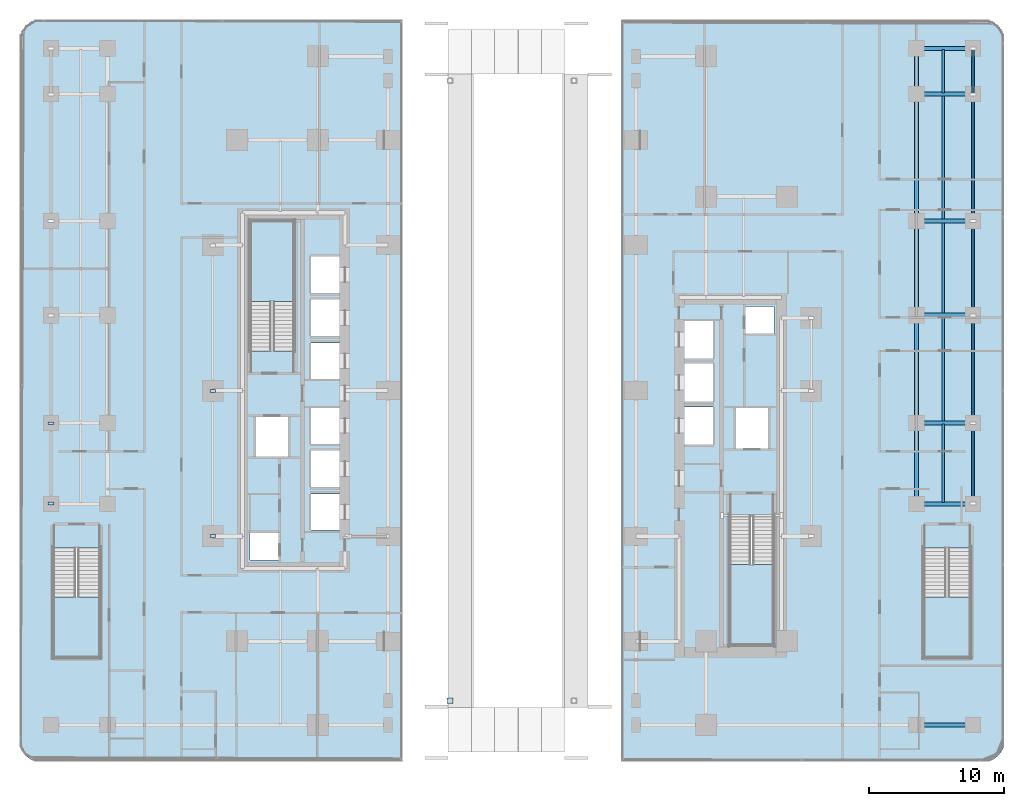
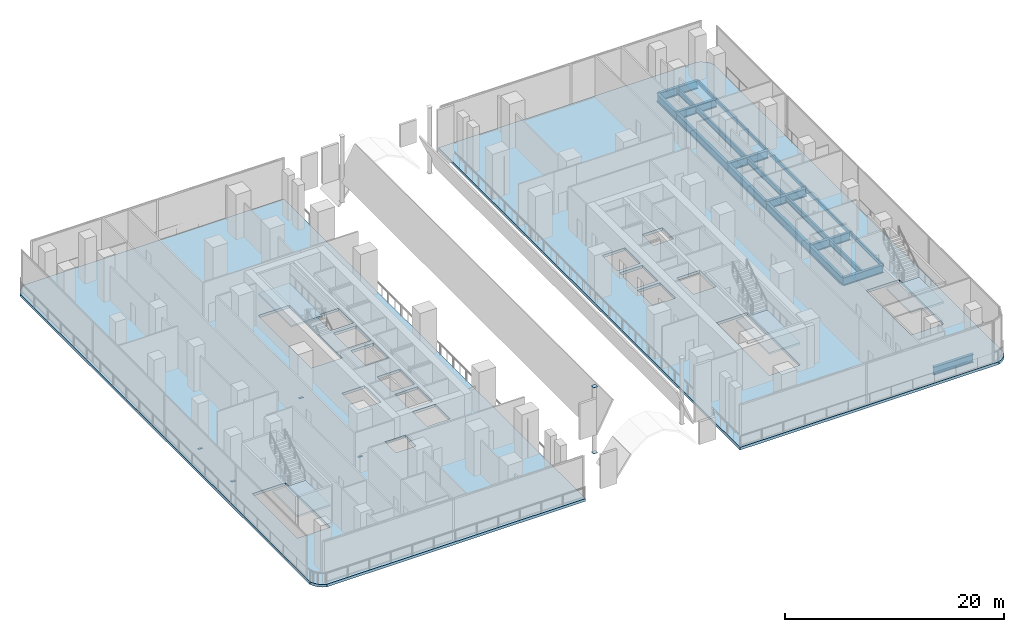
# One storey, part 5 of 31: 22 beams, 6 plates, 6 slabs, 4 elements without a shape of their own.
"""IFC4 building model written with IfcOpenShell, lengths in metres."""

import ifcopenshell
import ifcopenshell.guid

model = None  # the IFC model being written
_history = None  # IfcOwnerHistory: only IFC2X3 demands one
_inside = {}  # id of a spatial element -> (the spatial element, [elements in it])
_under = {}  # id of a project, library or spatial element -> (it, [spatial elements below it])
_declared = {}  # id of a project -> (the project, [libraries it declares])
_typed = {}  # id of a type object -> (the type object, [elements of that type])
_made_of = {}  # id of a material, layer set ... -> (it, [elements and type objects made of it])


def new_model(schema):
    """Start an empty IFC model of exactly this schema.

    Asked for "IFC4X3", IfcOpenShell would pick the latest addendum, in which some entities
    have other attributes; the version numbers below select the first issue.
    IFC2X3 requires an IfcOwnerHistory on every rooted entity: one is made here for all.
    """
    global model, _history
    if schema == "IFC4X3":
        model = ifcopenshell.file(schema_version=(4, 3, 0, 0))
    else:
        model = ifcopenshell.file(schema=schema)
    _inside.clear()
    _under.clear()
    _declared.clear()
    _typed.clear()
    _made_of.clear()
    _history = None
    if model.schema == "IFC2X3":
        org = make("IfcOrganization", Name="unknown")
        user = make(
            "IfcPersonAndOrganization",
            ThePerson=make("IfcPerson", FamilyName="unknown"),
            TheOrganization=org,
        )
        app = make(
            "IfcApplication",
            ApplicationDeveloper=org,
            Version="unknown",
            ApplicationFullName="unknown",
            ApplicationIdentifier="unknown",
        )
        _history = make(
            "IfcOwnerHistory",
            OwningUser=user,
            OwningApplication=app,
            ChangeAction="ADDED",
            CreationDate=0,
        )
    return model


def make(cls, **values):
    """One entity of the class cls with the attributes given. An attribute that is None is left unset."""
    return model.create_entity(
        cls, **{name: value for name, value in values.items() if value is not None}
    )


def rooted(cls, **values):
    """An entity with a GlobalId (a new one), such as an element, a storey or a relation."""
    return make(cls, GlobalId=ifcopenshell.guid.new(), OwnerHistory=_history, **values)


def si_unit(unit_type, name, prefix=None):
    """IfcSIUnit, for example si_unit("LENGTHUNIT", "METRE", prefix="MILLI")."""
    return make("IfcSIUnit", UnitType=unit_type, Prefix=prefix, Name=name)


def assignment(units):
    """IfcUnitAssignment: the units of a project."""
    return None if units is None else make("IfcUnitAssignment", Units=units)


def point(xyz):
    """IfcCartesianPoint."""
    return None if xyz is None else make("IfcCartesianPoint", Coordinates=xyz)


def direction(xyz):
    """IfcDirection."""
    return None if xyz is None else make("IfcDirection", DirectionRatios=xyz)


def frame(location, z_axis=None, x_axis=None):
    """IfcAxis2Placement3D, a coordinate frame: its origin and axes. An axis left out is left unset."""
    return make(
        "IfcAxis2Placement3D",
        Location=point(location),
        Axis=direction(z_axis),
        RefDirection=direction(x_axis),
    )


def frame_2d(location, x_axis=None):
    """IfcAxis2Placement2D, a coordinate frame in the plane: its origin and x axis."""
    return make(
        "IfcAxis2Placement2D", Location=point(location), RefDirection=direction(x_axis)
    )


def origin():
    """The frame at (0, 0, 0) with its axes left unset."""
    return frame((0.0, 0.0, 0.0))


def origin_2d():
    """The frame at (0, 0) in the plane with its x axis left unset."""
    return frame_2d((0.0, 0.0))


def place(relative_to, where):
    """IfcLocalPlacement: puts the frame where relative to a parent placement (None: the world)."""
    return make(
        "IfcLocalPlacement", PlacementRelTo=relative_to, RelativePlacement=where
    )


def context(
    kind, dimensions, precision=None, world=None, true_north=None, identifier=None
):
    """IfcGeometricRepresentationContext, for example the 3D "Model" context."""
    return make(
        "IfcGeometricRepresentationContext",
        ContextIdentifier=identifier,
        ContextType=kind,
        CoordinateSpaceDimension=dimensions,
        Precision=precision,
        WorldCoordinateSystem=world,
        TrueNorth=true_north,
    )


def subcontext(parent, identifier, kind, view, scale=None):
    """IfcGeometricRepresentationSubContext, for example "Body" below "Model"."""
    return make(
        "IfcGeometricRepresentationSubContext",
        ContextIdentifier=identifier,
        ContextType=kind,
        ParentContext=parent,
        TargetScale=scale,
        TargetView=view,
    )


def project(units=None, contexts=None):
    """IfcProject with its units and contexts."""
    return rooted(
        "IfcProject",
        Name="project",
        RepresentationContexts=contexts,
        UnitsInContext=assignment(units),
    )


def spatial(cls, under=None, at=None, **own):
    """A site, building, storey or space (cls), placed at a placement, below another one or the project."""
    s = rooted(cls, ObjectPlacement=at, **own)
    if under is not None:
        _under.setdefault(under.id(), (under, []))[1].append(s)
    return s


def polyline(points):
    """IfcPolyline through the points."""
    return make("IfcPolyline", Points=[point(p) for p in points])


def profile(cls, at=None, kind="AREA", **sizes):
    """A parametric profile (cls). Its sizes go by their IFC names, for example OverallWidth=200.0."""
    return make(cls, ProfileType=kind, Position=at, **sizes)


def rectangle(**sizes):
    """IfcRectangleProfileDef."""
    return profile("IfcRectangleProfileDef", **sizes)


def hollow_rectangle(**sizes):
    """IfcRectangleHollowProfileDef."""
    return profile("IfcRectangleHollowProfileDef", **sizes)


def i_section(**sizes):
    """IfcIShapeProfileDef."""
    return profile("IfcIShapeProfileDef", **sizes)


def outline(outer, holes=None, kind="AREA"):
    """IfcArbitraryClosedProfileDef: a profile drawn as a closed curve; with holes, ...WithVoids."""
    if holes is None:
        return make("IfcArbitraryClosedProfileDef", ProfileType=kind, OuterCurve=outer)
    return make(
        "IfcArbitraryProfileDefWithVoids",
        ProfileType=kind,
        OuterCurve=outer,
        InnerCurves=holes,
    )


def extrude(swept, where, along, depth):
    """IfcExtrudedAreaSolid: the profile swept, set in the frame where, extruded along a direction by depth."""
    return make(
        "IfcExtrudedAreaSolid",
        SweptArea=swept,
        Position=where,
        ExtrudedDirection=direction(along),
        Depth=depth,
    )


def shape(context_of_items, identifier, shape_type, items):
    """IfcShapeRepresentation: the items that make up one representation, for example the "Body"."""
    return make(
        "IfcShapeRepresentation",
        ContextOfItems=context_of_items,
        RepresentationIdentifier=identifier,
        RepresentationType=shape_type,
        Items=items,
    )


def material(Name=None, Category=None):
    """IfcMaterial."""
    return make("IfcMaterial", Name=Name, Category=Category)


def layer(
    of_material, thickness, ventilated=None, Name=None, Category=None, Priority=None
):
    """IfcMaterialLayer: one layer of a wall or slab, of a material (None: an air gap)."""
    return make(
        "IfcMaterialLayer",
        Material=of_material,
        LayerThickness=thickness,
        IsVentilated=ventilated,
        Name=Name,
        Category=Category,
        Priority=Priority,
    )


def layer_set(layers, Name=None):
    """IfcMaterialLayerSet."""
    return make("IfcMaterialLayerSet", MaterialLayers=layers, LayerSetName=Name)


def material_profile(
    of_material, cross_section, Name=None, Category=None, Priority=None
):
    """IfcMaterialProfile: a cross section and its material."""
    return make(
        "IfcMaterialProfile",
        Name=Name,
        Material=of_material,
        Profile=cross_section,
        Priority=Priority,
        Category=Category,
    )


def profile_set(profiles, Name=None, composite=None):
    """IfcMaterialProfileSet."""
    return make(
        "IfcMaterialProfileSet",
        Name=Name,
        MaterialProfiles=profiles,
        CompositeProfile=composite,
    )


def made_of(thing, what):
    """Note that an element or type object is made of a material, layer set ...; save() writes the relation."""
    if what is not None:
        _made_of.setdefault(what.id(), (what, []))[1].append(thing)
    return thing


def type_object(cls, material=None, **own):
    """A type object (cls), such as IfcWallType, which elements share."""
    return made_of(rooted(cls, **own), material)


def element(
    cls,
    number,
    at=None,
    inside=None,
    cuts=None,
    type_object=None,
    material=None,
    context=None,
    identifier="Body",
    shape_type=None,
    held_by="IfcProductDefinitionShape",
    body=None,
    shapes=None,
    **own,
):
    """One element of the class cls, such as IfcWall. Its Tag is "e" and its number.

    at: its placement. inside: the storey or other place that contains it. cuts: it is an
    opening in that element (IfcRelVoidsElement). A single representation is given by context,
    identifier, shape_type and body (its items); several are given by shapes. held_by: the class
    of the entity that holds the representations. save() writes the other relations.
    """
    e = rooted(cls, Tag="e%d" % number, ObjectPlacement=at, **own)
    if body is not None:
        shapes = [shape(context, identifier, shape_type, body)]
    if shapes is not None:
        e.Representation = make(held_by, Representations=shapes)
    if inside is not None:
        _inside.setdefault(inside.id(), (inside, []))[1].append(e)
    if cuts is not None:
        rooted(
            "IfcRelVoidsElement", RelatingBuildingElement=cuts, RelatedOpeningElement=e
        )
    if type_object is not None:
        _typed.setdefault(type_object.id(), (type_object, []))[1].append(e)
    return made_of(e, material)


def aggregate(whole, parts):
    """IfcRelAggregates: a whole, such as a stair, and the parts it consists of."""
    return rooted("IfcRelAggregates", RelatingObject=whole, RelatedObjects=parts)


def save(model, path):
    """Write the relations noted so far, then the file.

    IfcRelAggregates (storeys below a building ...), IfcRelContainedInSpatialStructure (elements
    in a storey), IfcRelDefinesByType, IfcRelAssociatesMaterial and IfcRelDeclares: one each for
    every whole, place, type object, material and project.
    """
    for whole, parts in _under.values():
        aggregate(whole, parts)
    for where, things in _inside.values():
        rooted(
            "IfcRelContainedInSpatialStructure",
            RelatedElements=things,
            RelatingStructure=where,
        )
    for kind, things in _typed.values():
        rooted("IfcRelDefinesByType", RelatedObjects=things, RelatingType=kind)
    for what, things in _made_of.values():
        rooted("IfcRelAssociatesMaterial", RelatedObjects=things, RelatingMaterial=what)
    for by, libraries in _declared.values():
        rooted("IfcRelDeclares", RelatingContext=by, RelatedDefinitions=libraries)
    model.write(path)


model = new_model("IFC4")

# Units and contexts
model_context = context("Model", 3, precision=1e-05, world=origin(), true_north=direction((0.0, 1.0)))
body_context = subcontext(model_context, "Body", "Model", "MODEL_VIEW")
ifc_project = project(units=[si_unit("LENGTHUNIT", "METRE"), si_unit("AREAUNIT", "SQUARE_METRE"), si_unit("VOLUMEUNIT", "CUBIC_METRE"), si_unit("PLANEANGLEUNIT", "RADIAN"), si_unit("MASSUNIT", "GRAM", prefix="KILO")], contexts=[model_context])

# Site, building, storey
site_placement = place(None, origin())
site = spatial("IfcSite", under=ifc_project, at=site_placement, CompositionType="ELEMENT")
building_placement = place(site_placement, origin())
building = spatial("IfcBuilding", under=site, at=building_placement, Name="Khairoan Windgate Tower", CompositionType="ELEMENT")
storey_placement = place(building_placement, frame((0.0, 0.0, 11.0)))
storey = spatial("IfcBuildingStorey", under=building, at=storey_placement, Name="L03", CompositionType="ELEMENT", Elevation=11.0)

# Beams
ifc_material_1 = material(Name="Steel S355", Category="steel")
ifc_material_profile_1 = material_profile(ifc_material_1, i_section(OverallWidth=0.300048828125, OverallDepth=0.89990234375, WebThickness=0.01611328125, FlangeThickness=0.028076171875, FilletRadius=0.028076171875, at=origin_2d()))
ifc_profile_set_1 = profile_set([ifc_material_profile_1], Name="Steel S355")
beam_type_1 = type_object("IfcBeamType", Name="Beam B-G1 H900x300x16x28", PredefinedType="BEAM", material=ifc_profile_set_1)
for number, where, z_axis, x_axis, name in (
    (1, (30.0, -24.800048828125, -0.75), (1.0, 0.0, 0.0), (0.0, 1.0, 0.0), "L03 E-W Primary Girder 06"),
    (2, (30.0, -8.39990234375, -0.75), (1.0, 0.0, 0.0), (0.0, 1.0, 0.0), "L03 E-W Primary Girder 17"),
    (3, (30.0, -2.39990234375, -0.75), (1.0, 0.0, 0.0), (0.0, 1.0, 0.0), "L03 E-W Primary Girder 19"),
    (4, (30.0, 5.60009765625, -0.75), (1.0, 0.0, 0.0), (0.0, 1.0, 0.0), "L03 E-W Primary Girder 25"),
    (5, (30.0, 12.60009765625, -0.75), (1.0, 0.0, 0.0), (0.0, 1.0, 0.0), "L03 E-W Primary Girder 31"),
    (6, (30.0, 22.0, -0.75), (1.0, 0.0, 0.0), (0.0, 1.0, 0.0), "L03 E-W Primary Girder 38"),
    (7, (30.0, 25.39990234375, -0.75), (1.0, 0.0, 0.0), (0.0, 1.0, 0.0), "L03 E-W Primary Girder 42"),
):
    element("IfcBeam", number, at=place(storey_placement, frame(where, z_axis=z_axis, x_axis=x_axis)), inside=storey, type_object=beam_type_1, Name=name, PredefinedType="BEAM", context=body_context, shape_type="SweptSolid", body=[
        extrude(i_section(OverallWidth=0.300048828125, OverallDepth=0.89990234375, WebThickness=0.01611328125, FlangeThickness=0.028076171875, FilletRadius=0.028076171875, at=origin_2d()), origin(), (0.0, 0.0, 1.0), 4.199951171875),
    ])
beam_1_placement = place(storey_placement, frame((30.0, -8.39990234375, -0.75), z_axis=(0.0, 1.0, 0.0), x_axis=(-1.0, 0.0, 0.0)))
element("IfcBeam", 8, at=beam_1_placement, inside=storey, type_object=beam_type_1, Name="L03 N-S Primary Beam 86", PredefinedType="BEAM", context=body_context, shape_type="SweptSolid", body=[
    extrude(i_section(OverallWidth=0.300048828125, OverallDepth=0.89990234375, WebThickness=0.01611328125, FlangeThickness=0.028076171875, FilletRadius=0.028076171875, at=origin_2d()), origin(), (0.0, 0.0, 1.0), 6.0),
])
beam_2_placement = place(storey_placement, frame((30.0, -2.39990234375, -0.75), z_axis=(0.0, 1.0, 0.0), x_axis=(-1.0, 0.0, 0.0)))
element("IfcBeam", 9, at=beam_2_placement, inside=storey, type_object=beam_type_1, Name="L03 N-S Primary Beam 87", PredefinedType="BEAM", context=body_context, shape_type="SweptSolid", body=[
    extrude(i_section(OverallWidth=0.300048828125, OverallDepth=0.89990234375, WebThickness=0.01611328125, FlangeThickness=0.028076171875, FilletRadius=0.028076171875, at=origin_2d()), origin(), (0.0, 0.0, 1.0), 8.0),
])
beam_3_placement = place(storey_placement, frame((30.0, 5.60009765625, -0.75), z_axis=(0.0, 1.0, 0.0), x_axis=(-1.0, 0.0, 0.0)))
element("IfcBeam", 10, at=beam_3_placement, inside=storey, type_object=beam_type_1, Name="L03 N-S Primary Beam 88", PredefinedType="BEAM", context=body_context, shape_type="SweptSolid", body=[
    extrude(i_section(OverallWidth=0.300048828125, OverallDepth=0.89990234375, WebThickness=0.01611328125, FlangeThickness=0.028076171875, FilletRadius=0.028076171875, at=origin_2d()), origin(), (0.0, 0.0, 1.0), 7.0),
])
beam_4_placement = place(storey_placement, frame((30.0, 12.60009765625, -0.75), z_axis=(0.0, 1.0, 0.0), x_axis=(-1.0, 0.0, 0.0)))
element("IfcBeam", 11, at=beam_4_placement, inside=storey, type_object=beam_type_1, Name="L03 N-S Primary Beam 89", PredefinedType="BEAM", context=body_context, shape_type="SweptSolid", body=[
    extrude(i_section(OverallWidth=0.300048828125, OverallDepth=0.89990234375, WebThickness=0.01611328125, FlangeThickness=0.028076171875, FilletRadius=0.028076171875, at=origin_2d()), origin(), (0.0, 0.0, 1.0), 9.39990234375),
])
beam_5_placement = place(storey_placement, frame((30.0, 22.0, -0.75), z_axis=(0.0, 1.0, 0.0), x_axis=(-1.0, 0.0, 0.0)))
element("IfcBeam", 12, at=beam_5_placement, inside=storey, type_object=beam_type_1, Name="L03 N-S Primary Beam 90", PredefinedType="BEAM", context=body_context, shape_type="SweptSolid", body=[
    extrude(i_section(OverallWidth=0.300048828125, OverallDepth=0.89990234375, WebThickness=0.01611328125, FlangeThickness=0.028076171875, FilletRadius=0.028076171875, at=origin_2d()), origin(), (0.0, 0.0, 1.0), 3.39990234375),
])
ifc_material_2 = material(Name="Steel S355", Category="steel")
ifc_material_profile_2 = material_profile(ifc_material_2, i_section(OverallWidth=0.199951171875, OverallDepth=0.60009765625, WebThickness=0.010986328125, FlangeThickness=0.01708984375, FilletRadius=0.02197265625, at=origin_2d()))
ifc_profile_set_2 = profile_set([ifc_material_profile_2], Name="Steel S355")
beam_type_2 = type_object("IfcBeamType", Name="Beam J-S1 H600x200x11x17", PredefinedType="JOIST", material=ifc_profile_set_2)
beam_6_placement = place(storey_placement, frame((32.0, -8.31005859375, -0.60009765625), z_axis=(0.0, 1.0, 0.0), x_axis=(-1.0, 0.0, 0.0)))
element("IfcBeam", 13, at=beam_6_placement, inside=storey, type_object=beam_type_2, Name="L03 Secondary Floor Joist 10", PredefinedType="JOIST", context=body_context, shape_type="SweptSolid", body=[
    extrude(i_section(OverallWidth=0.199951171875, OverallDepth=0.60009765625, WebThickness=0.010986328125, FlangeThickness=0.01708984375, FilletRadius=0.02197265625, at=origin_2d()), origin(), (0.0, 0.0, 1.0), 5.820068359375),
])
beam_7_placement = place(storey_placement, frame((32.0, -2.31005859375, -0.60009765625), z_axis=(0.0, 1.0, 0.0), x_axis=(-1.0, 0.0, 0.0)))
element("IfcBeam", 14, at=beam_7_placement, inside=storey, type_object=beam_type_2, Name="L03 Secondary Floor Joist 11", PredefinedType="JOIST", context=body_context, shape_type="SweptSolid", body=[
    extrude(i_section(OverallWidth=0.199951171875, OverallDepth=0.60009765625, WebThickness=0.010986328125, FlangeThickness=0.01708984375, FilletRadius=0.02197265625, at=origin_2d()), origin(), (0.0, 0.0, 1.0), 7.820068359375),
])
beam_8_placement = place(storey_placement, frame((32.0, 5.68994140625, -0.60009765625), z_axis=(0.0, 1.0, 0.0), x_axis=(-1.0, 0.0, 0.0)))
element("IfcBeam", 15, at=beam_8_placement, inside=storey, type_object=beam_type_2, Name="L03 Secondary Floor Joist 12", PredefinedType="JOIST", context=body_context, shape_type="SweptSolid", body=[
    extrude(i_section(OverallWidth=0.199951171875, OverallDepth=0.60009765625, WebThickness=0.010986328125, FlangeThickness=0.01708984375, FilletRadius=0.02197265625, at=origin_2d()), origin(), (0.0, 0.0, 1.0), 6.820068359375),
])
beam_9_placement = place(storey_placement, frame((32.0, 12.68994140625, -0.60009765625), z_axis=(0.0, 1.0, 0.0), x_axis=(-1.0, 0.0, 0.0)))
element("IfcBeam", 16, at=beam_9_placement, inside=storey, type_object=beam_type_2, Name="L03 Secondary Floor Joist 13", PredefinedType="JOIST", context=body_context, shape_type="SweptSolid", body=[
    extrude(i_section(OverallWidth=0.199951171875, OverallDepth=0.60009765625, WebThickness=0.010986328125, FlangeThickness=0.01708984375, FilletRadius=0.02197265625, at=origin_2d()), origin(), (0.0, 0.0, 1.0), 9.219970703125),
])
beam_10_placement = place(storey_placement, frame((32.0, 22.090087890625, -0.60009765625), z_axis=(0.0, 1.0, 0.0), x_axis=(-1.0, 0.0, 0.0)))
element("IfcBeam", 17, at=beam_10_placement, inside=storey, type_object=beam_type_2, Name="L03 Secondary Floor Joist 14", PredefinedType="JOIST", context=body_context, shape_type="SweptSolid", body=[
    extrude(i_section(OverallWidth=0.199951171875, OverallDepth=0.60009765625, WebThickness=0.010986328125, FlangeThickness=0.01708984375, FilletRadius=0.02197265625, at=origin_2d()), origin(), (0.0, 0.0, 1.0), 3.219970703125),
])
ifc_material_3 = material(Name="Steel S355", Category="steel")
ifc_material_profile_3 = material_profile(ifc_material_3, hollow_rectangle(XDim=0.199951171875, YDim=0.39990234375, WallThickness=0.013916015625, InnerFilletRadius=0.013916015625, OuterFilletRadius=0.028076171875, at=origin_2d()))
ifc_profile_set_3 = profile_set([ifc_material_profile_3], Name="Steel S355")
beam_type_3 = type_object("IfcBeamType", Name="Beam SP-B1 RHS400x200x14", PredefinedType="SPANDREL", material=ifc_profile_set_3)
beam_11_placement = place(storey_placement, frame((34.199951171875, -8.39990234375, -0.5), z_axis=(0.0, 1.0, 0.0), x_axis=(-1.0, 0.0, 0.0)))
element("IfcBeam", 18, at=beam_11_placement, inside=storey, type_object=beam_type_3, Name="L03 Spandrel Beam 91", PredefinedType="SPANDREL", context=body_context, shape_type="SweptSolid", body=[
    extrude(hollow_rectangle(XDim=0.199951171875, YDim=0.39990234375, WallThickness=0.013916015625, InnerFilletRadius=0.013916015625, OuterFilletRadius=0.028076171875, at=origin_2d()), origin(), (0.0, 0.0, 1.0), 6.0),
])
beam_12_placement = place(storey_placement, frame((34.199951171875, -2.39990234375, -0.5), z_axis=(0.0, 1.0, 0.0), x_axis=(-1.0, 0.0, 0.0)))
element("IfcBeam", 19, at=beam_12_placement, inside=storey, type_object=beam_type_3, Name="L03 Spandrel Beam 92", PredefinedType="SPANDREL", context=body_context, shape_type="SweptSolid", body=[
    extrude(hollow_rectangle(XDim=0.199951171875, YDim=0.39990234375, WallThickness=0.013916015625, InnerFilletRadius=0.013916015625, OuterFilletRadius=0.028076171875, at=origin_2d()), origin(), (0.0, 0.0, 1.0), 8.0),
])
beam_13_placement = place(storey_placement, frame((34.199951171875, 5.60009765625, -0.5), z_axis=(0.0, 1.0, 0.0), x_axis=(-1.0, 0.0, 0.0)))
element("IfcBeam", 20, at=beam_13_placement, inside=storey, type_object=beam_type_3, Name="L03 Spandrel Beam 93", PredefinedType="SPANDREL", context=body_context, shape_type="SweptSolid", body=[
    extrude(hollow_rectangle(XDim=0.199951171875, YDim=0.39990234375, WallThickness=0.013916015625, InnerFilletRadius=0.013916015625, OuterFilletRadius=0.028076171875, at=origin_2d()), origin(), (0.0, 0.0, 1.0), 7.0),
])
beam_14_placement = place(storey_placement, frame((34.199951171875, 12.60009765625, -0.5), z_axis=(0.0, 1.0, 0.0), x_axis=(-1.0, 0.0, 0.0)))
element("IfcBeam", 21, at=beam_14_placement, inside=storey, type_object=beam_type_3, Name="L03 Spandrel Beam 94", PredefinedType="SPANDREL", context=body_context, shape_type="SweptSolid", body=[
    extrude(hollow_rectangle(XDim=0.199951171875, YDim=0.39990234375, WallThickness=0.013916015625, InnerFilletRadius=0.013916015625, OuterFilletRadius=0.028076171875, at=origin_2d()), origin(), (0.0, 0.0, 1.0), 9.39990234375),
])
beam_15_placement = place(storey_placement, frame((34.199951171875, 22.0, -0.5), z_axis=(0.0, 1.0, 0.0), x_axis=(-1.0, 0.0, 0.0)))
element("IfcBeam", 22, at=beam_15_placement, inside=storey, type_object=beam_type_3, Name="L03 Spandrel Beam 95", PredefinedType="SPANDREL", context=body_context, shape_type="SweptSolid", body=[
    extrude(hollow_rectangle(XDim=0.199951171875, YDim=0.39990234375, WallThickness=0.013916015625, InnerFilletRadius=0.013916015625, OuterFilletRadius=0.028076171875, at=origin_2d()), origin(), (0.0, 0.0, 1.0), 3.39990234375),
])

# Plates
ifc_material_4 = material(Name="Steel S355", Category="steel")
ifc_layer_1 = layer(ifc_material_4, 0.0400390625, Name="Steel S355")
ifc_layer_set_1 = layer_set([ifc_layer_1], Name="Steel S355")
plate_type = type_object("IfcPlateType", Name="Hollow Section End-Cap Plate PL-CAP40", PredefinedType="SHEET", material=ifc_layer_set_1)
for number, where, z_axis, x_axis, name in (
    (23, (-4.60009765625, -23.0, 1.169921875), (0.0, 0.0, 1.0), (1.0, 0.0, 0.0), "ARCH-POST-S-1 steel end-cap plate 1"),
    (24, (-4.60009765625, -23.0, 8.514892578125), (0.0, 0.0, 1.0), (1.0, 0.0, 0.0), "ARCH-POST-S-1 steel end-cap plate 2"),
):
    element("IfcPlate", number, at=place(storey_placement, frame(where, z_axis=z_axis, x_axis=x_axis)), inside=storey, type_object=plate_type, Name=name, PredefinedType="SHEET", context=body_context, shape_type="SweptSolid", body=[
        extrude(rectangle(XDim=0.426513671875, YDim=0.426513671875, at=origin_2d()), origin(), (0.0, 0.0, 1.0), 0.0400390625),
    ])
for number, where, z_axis, x_axis, name in (
    (25, (-34.199951171875, -8.385009765625, -0.52001953125), (0.0, 0.0, 1.0), (0.0, 1.0, 0.0), "BM-SP-L03-043 steel end-cap plate 1"),
    (26, (-34.199951171875, -2.4150390625, -0.52001953125), (0.0, 0.0, 1.0), (0.0, 1.0, 0.0), "BM-SP-L03-043 steel end-cap plate 2"),
    (27, (-22.199951171875, -10.784912109375, -0.52001953125), (0.0, 0.0, 1.0), (0.0, 1.0, 0.0), "BM-SP-L03-053 steel end-cap plate 1"),
    (28, (-22.199951171875, -0.014892578125, -0.52001953125), (0.0, 0.0, 1.0), (0.0, 1.0, 0.0), "BM-SP-L03-053 steel end-cap plate 2"),
):
    element("IfcPlate", number, at=place(storey_placement, frame(where, z_axis=z_axis, x_axis=x_axis)), inside=storey, type_object=plate_type, Name=name, PredefinedType="SHEET", context=body_context, shape_type="SweptSolid", body=[
        extrude(rectangle(XDim=0.219970703125, YDim=0.419921875, at=origin_2d()), origin(), (0.0, 0.0, 1.0), 0.0400390625),
    ])

# Slabs
ifc_material_5 = material(Name="Concrete C40/50", Category="concrete")
ifc_layer_2 = layer(ifc_material_5, 0.300048828125, Name="Concrete C40/50")
ifc_layer_set_2 = layer_set([ifc_layer_2], Name="Concrete C40/50")
slab_type_1 = type_object("IfcSlabType", Name="Podium Floor Slab FS1 300mm", PredefinedType="FLOOR", material=ifc_layer_set_2)
slab_1_placement = place(storey_placement, frame((0.0, 0.0, -0.300048828125)))
element("IfcSlab", 29, at=slab_1_placement, inside=storey, type_object=slab_type_1, Name="L03 W Wing Structural Floor Slab", PredefinedType="FLOOR", context=body_context, shape_type="SweptSolid", body=[
    extrude(outline(polyline([(-36.35888671875, 26.699951171875), (-36.07275390625, 27.07275390625), (-35.699951171875, 27.35888671875), (-35.359375, 27.5), (-8.1201171875, 27.5), (-8.1201171875, -27.5), (-35.359375, -27.5), (-35.699951171875, -27.35888671875), (-36.07275390625, -27.07275390625), (-36.35888671875, -26.699951171875), (-36.5, -26.359375), (-36.5, 26.359375), (-36.35888671875, 26.699951171875)]), holes=[polyline([(-16.14990234375, 2.9599609375), (-16.14990234375, 12.60009765625), (-19.419921875, 12.60009765625), (-19.419921875, 2.9599609375), (-16.14990234375, 2.9599609375)]), polyline([(-34.02001953125, -11.659912109375), (-34.02001953125, -19.800048828125), (-30.550048828125, -19.800048828125), (-30.550048828125, -11.659912109375), (-34.02001953125, -11.659912109375)]), polyline([(-14.89990234375, 7.25), (-12.5, 7.25), (-12.5, 9.949951171875), (-14.89990234375, 9.949951171875), (-14.89990234375, 7.25)]), polyline([(-14.89990234375, 4.050048828125), (-12.5, 4.050048828125), (-12.5, 6.75), (-14.89990234375, 6.75), (-14.89990234375, 4.050048828125)]), polyline([(-14.89990234375, 0.85009765625), (-12.5, 0.85009765625), (-12.5, 3.550048828125), (-14.89990234375, 3.550048828125), (-14.89990234375, 0.85009765625)]), polyline([(-14.89990234375, -3.949951171875), (-12.5, -3.949951171875), (-12.5, -1.25), (-14.89990234375, -1.25), (-14.89990234375, -3.949951171875)]), polyline([(-14.89990234375, -7.14990234375), (-12.5, -7.14990234375), (-12.5, -4.449951171875), (-14.89990234375, -4.449951171875), (-14.89990234375, -7.14990234375)]), polyline([(-14.89990234375, -10.35009765625), (-12.5, -10.35009765625), (-12.5, -7.64990234375), (-14.89990234375, -7.64990234375), (-14.89990234375, -10.35009765625)]), polyline([(-19.0, -4.89990234375), (-16.60009765625, -4.89990234375), (-16.60009765625, -1.89990234375), (-19.0, -1.89990234375), (-19.0, -4.89990234375)]), polyline([(-19.449951171875, -12.550048828125), (-17.31005859375, -12.550048828125), (-17.31005859375, -10.550048828125), (-19.449951171875, -10.550048828125), (-19.449951171875, -12.550048828125)])]), origin(), (0.0, 0.0, 1.0), 0.300048828125),
])
slab_2_placement = place(storey_placement, frame((0.0, 0.0, -0.300048828125)))
element("IfcSlab", 30, at=slab_2_placement, inside=storey, type_object=slab_type_1, Name="L03 E Wing Structural Floor Slab", PredefinedType="FLOOR", context=body_context, shape_type="SweptSolid", body=[
    extrude(outline(polyline([(36.35888671875, -26.699951171875), (36.07275390625, -27.07275390625), (35.699951171875, -27.35888671875), (35.359375, -27.5), (8.1201171875, -27.5), (8.1201171875, 27.5), (35.359375, 27.5), (35.699951171875, 27.35888671875), (36.07275390625, 27.07275390625), (36.35888671875, 26.699951171875), (36.5, 26.359375), (36.5, -26.359375), (36.35888671875, -26.699951171875)]), holes=[polyline([(16.14990234375, -9.260009765625), (16.14990234375, -18.89990234375), (19.419921875, -18.89990234375), (19.419921875, -9.260009765625), (16.14990234375, -9.260009765625)]), polyline([(30.550048828125, -11.659912109375), (30.550048828125, -19.800048828125), (34.02001953125, -19.800048828125), (34.02001953125, -11.659912109375), (30.550048828125, -11.659912109375)]), polyline([(12.5, 2.39990234375), (14.89990234375, 2.39990234375), (14.89990234375, 5.199951171875), (12.5, 5.199951171875), (12.5, 2.39990234375)]), polyline([(12.5, -0.800048828125), (14.89990234375, -0.800048828125), (14.89990234375, 2.0), (12.5, 2.0), (12.5, -0.800048828125)]), polyline([(12.5, -4.0), (14.89990234375, -4.0), (14.89990234375, -1.199951171875), (12.5, -1.199951171875), (12.5, -4.0)]), polyline([(16.60009765625, -4.300048828125), (19.0, -4.300048828125), (19.0, -1.300048828125), (16.60009765625, -1.300048828125), (16.60009765625, -4.300048828125)]), polyline([(17.31005859375, 4.25), (19.449951171875, 4.25), (19.449951171875, 6.25), (17.31005859375, 6.25), (17.31005859375, 4.25)])]), origin(), (0.0, 0.0, 1.0), 0.300048828125),
])

# Stair, slab
ifc_material_6 = material(Name="Concrete C40/50", Category="concrete")
stair_type_1 = type_object("IfcStairType", Name="Tower Core Dog-Leg Stair ST-T1 1560mm", PredefinedType="HALF_TURN_STAIR", material=ifc_material_6)
stair_1_placement = place(storey_placement, origin())
stair_1 = element("IfcStair", 31, at=stair_1_placement, inside=storey, type_object=stair_type_1, Name="L03 Stair ST1", PredefinedType="HALF_TURN_STAIR")
ifc_material_7 = material(Name="Concrete C40/50", Category="concrete")
ifc_layer_3 = layer(ifc_material_7, 0.199951171875, Name="Concrete C40/50")
ifc_layer_set_3 = layer_set([ifc_layer_3], Name="Concrete C40/50")
slab_type_2 = type_object("IfcSlabType", Name="Reinforced Concrete Stair Landing Slab STL-200", PredefinedType="LANDING", material=ifc_layer_set_3)
slab_3_placement = place(storey_placement, frame((0.0, 0.0, 2.300048828125)))
slab_3 = element("IfcSlab", 32, at=slab_3_placement, type_object=slab_type_2, Name="ST1 landing 1", PredefinedType="LANDING", context=body_context, shape_type="SweptSolid", body=[
    extrude(outline(polyline([(16.14990234375, -12.89990234375), (16.14990234375, -18.89990234375), (19.419921875, -18.89990234375), (19.419921875, -12.89990234375), (16.14990234375, -12.89990234375)])), origin(), (0.0, 0.0, 1.0), 0.199951171875),
])
aggregate(stair_1, [slab_3])

stair_2_placement = place(storey_placement, origin())
stair_2 = element("IfcStair", 33, at=stair_2_placement, inside=storey, type_object=stair_type_1, Name="L03 Stair ST2", PredefinedType="HALF_TURN_STAIR")
slab_4_placement = place(storey_placement, frame((0.0, 0.0, 2.300048828125)))
slab_4 = element("IfcSlab", 34, at=slab_4_placement, type_object=slab_type_2, Name="ST2 landing 1", PredefinedType="LANDING", context=body_context, shape_type="SweptSolid", body=[
    extrude(outline(polyline([(-16.14990234375, 6.60009765625), (-16.14990234375, 12.60009765625), (-19.419921875, 12.60009765625), (-19.419921875, 6.60009765625), (-16.14990234375, 6.60009765625)])), origin(), (0.0, 0.0, 1.0), 0.199951171875),
])
aggregate(stair_2, [slab_4])

ifc_material_8 = material(Name="Concrete C40/50", Category="concrete")
stair_type_2 = type_object("IfcStairType", Name="Podium Exit Dog-Leg Stair ST-T2 1660mm", PredefinedType="HALF_TURN_STAIR", material=ifc_material_8)
stair_3_placement = place(storey_placement, origin())
stair_3 = element("IfcStair", 35, at=stair_3_placement, inside=storey, type_object=stair_type_2, Name="L03 Stair ST3", PredefinedType="HALF_TURN_STAIR")
slab_5_placement = place(storey_placement, frame((0.0, 0.0, 2.300048828125)))
slab_5 = element("IfcSlab", 36, at=slab_5_placement, type_object=slab_type_2, Name="ST3 landing 1", PredefinedType="LANDING", context=body_context, shape_type="SweptSolid", body=[
    extrude(outline(polyline([(30.550048828125, -15.300048828125), (30.550048828125, -19.800048828125), (34.02001953125, -19.800048828125), (34.02001953125, -15.300048828125), (30.550048828125, -15.300048828125)])), origin(), (0.0, 0.0, 1.0), 0.199951171875),
])
aggregate(stair_3, [slab_5])

stair_4_placement = place(storey_placement, origin())
stair_4 = element("IfcStair", 37, at=stair_4_placement, inside=storey, type_object=stair_type_2, Name="L03 Stair ST4", PredefinedType="HALF_TURN_STAIR")
slab_6_placement = place(storey_placement, frame((0.0, 0.0, 2.300048828125)))
slab_6 = element("IfcSlab", 38, at=slab_6_placement, type_object=slab_type_2, Name="ST4 landing 1", PredefinedType="LANDING", context=body_context, shape_type="SweptSolid", body=[
    extrude(outline(polyline([(-34.02001953125, -15.300048828125), (-34.02001953125, -19.800048828125), (-30.550048828125, -19.800048828125), (-30.550048828125, -15.300048828125), (-34.02001953125, -15.300048828125)])), origin(), (0.0, 0.0, 1.0), 0.199951171875),
])
aggregate(stair_4, [slab_6])

save(model, "model.ifc")
